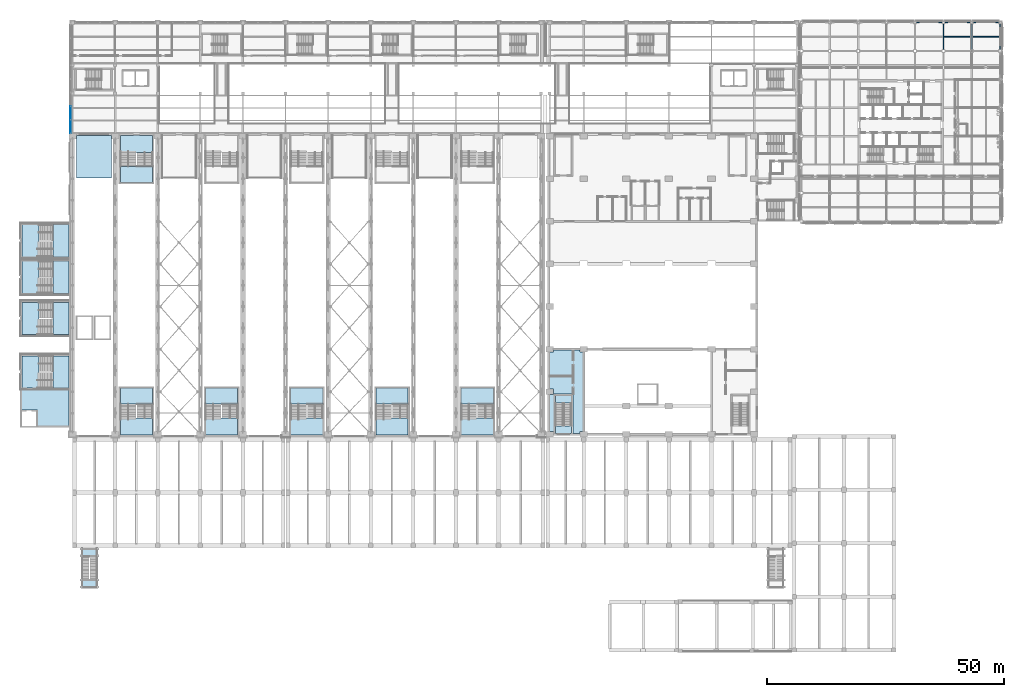
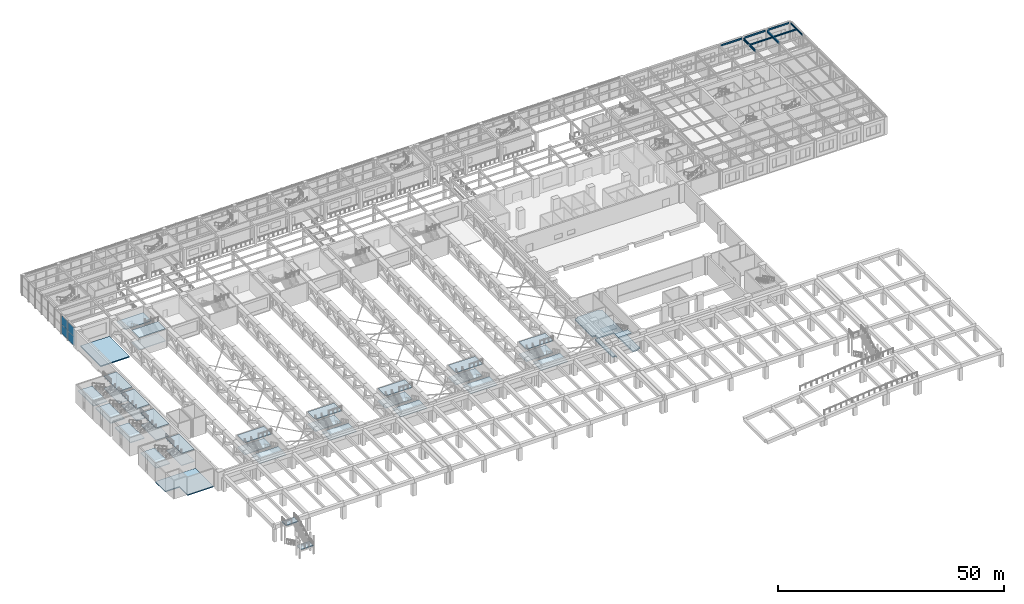
# One storey, part 27 of 76: 37 slabs, 8 beams, 4 plates, 23 elements without a shape of their own.
"""IFC4 building model written with IfcOpenShell, lengths in metres."""

from ifc_helpers import new_model, si_unit, direction, frame, origin, origin_2d, place, context, subcontext, project, spatial, polyline, rectangle, i_section, outline, extrude, material, layer, layer_set, material_profile, profile_set, type_object, element, aggregate, save


model = new_model("IFC4")

# Units and contexts
model_context = context("Model", 3, precision=1e-05, world=origin(), true_north=direction((0.0, 1.0)))
body_context = subcontext(model_context, "Body", "Model", "MODEL_VIEW")
ifc_project = project(units=[si_unit("LENGTHUNIT", "METRE"), si_unit("AREAUNIT", "SQUARE_METRE"), si_unit("VOLUMEUNIT", "CUBIC_METRE"), si_unit("PLANEANGLEUNIT", "RADIAN"), si_unit("MASSUNIT", "GRAM", prefix="KILO")], contexts=[model_context])

# Site, building, storey
site_placement = place(None, origin())
site = spatial("IfcSite", under=ifc_project, at=site_placement, CompositionType="ELEMENT")
building_placement = place(site_placement, origin())
building = spatial("IfcBuilding", under=site, at=building_placement, Name="Aravalli Gate Trade Fair Centre", CompositionType="ELEMENT")
storey_placement = place(building_placement, frame((0.0, 0.0, 10.0)))
storey = spatial("IfcBuildingStorey", under=building, at=storey_placement, Name="L02", CompositionType="ELEMENT", Elevation=10.0)

# Beams
ifc_material_1 = material(Name="Steel E350", Category="steel")
ifc_material_profile_1 = material_profile(ifc_material_1, i_section(OverallWidth=0.25, OverallDepth=0.60009765625, WebThickness=0.01123046875, FlangeThickness=0.021240234375, at=origin_2d()), Name="ISWB 600")
ifc_profile_set_1 = profile_set([ifc_material_profile_1], Name="Steel E350")
beam_type_1 = type_object("IfcBeamType", Name="Wing core to perimeter girder ISWB 600 (podium floors)", PredefinedType="BEAM", material=ifc_profile_set_1)
beam_1_placement = place(storey_placement, frame((190.0, 127.27490234375, 4.5), z_axis=(0.0, 1.0, 0.0), x_axis=(-1.0, 0.0, 0.0)))
element("IfcBeam", 1, at=beam_1_placement, inside=storey, type_object=beam_type_1, Name="Core to perimeter girder PN3b L03", PredefinedType="BEAM", context=body_context, shape_type="SweptSolid", body=[
    extrude(i_section(OverallWidth=0.25, OverallDepth=0.60009765625, WebThickness=0.01123046875, FlangeThickness=0.021240234375, at=origin_2d()), origin(), (0.0, 0.0, 1.0), 5.4501953125),
])
ifc_material_profile_2 = material_profile(ifc_material_1, i_section(OverallWidth=0.25, OverallDepth=0.60009765625, WebThickness=0.01123046875, FlangeThickness=0.021240234375, at=origin_2d()), Name="ISWB 600")
ifc_profile_set_2 = profile_set([ifc_material_profile_2], Name="Steel E350")
beam_type_2 = type_object("IfcBeamType", Name="Wing corner transfer girder ISWB 600 (podium floors)", PredefinedType="BEAM", material=ifc_profile_set_2)
beam_2_placement = place(storey_placement, frame((196.0, 127.27490234375, 4.5), z_axis=(0.0, 1.0, 0.0), x_axis=(-1.0, 0.0, 0.0)))
element("IfcBeam", 2, at=beam_2_placement, inside=storey, type_object=beam_type_2, Name="Corner transfer girder CNEyb L03", PredefinedType="BEAM", context=body_context, shape_type="SweptSolid", body=[
    extrude(i_section(OverallWidth=0.25, OverallDepth=0.60009765625, WebThickness=0.01123046875, FlangeThickness=0.021240234375, at=origin_2d()), origin(), (0.0, 0.0, 1.0), 5.4501953125),
])
ifc_material_profile_3 = material_profile(ifc_material_1, i_section(OverallWidth=0.14990234375, OverallDepth=0.449951171875, WebThickness=0.009521484375, FlangeThickness=0.017333984375, at=origin_2d()), Name="ISMB 450")
ifc_profile_set_3 = profile_set([ifc_material_profile_3], Name="Steel E350")
beam_type_3 = type_object("IfcBeamType", Name="Wing perimeter beam ISMB 450 (podium floors)", PredefinedType="BEAM", material=ifc_profile_set_3)
for number, where, z_axis, x_axis, name in (
    (3, (184.27490234375, 133.0, 4.574951171875), (1.0, 0.0, 0.0), (0.0, 1.0, 0.0), "Perimeter beam EN4 L03"),
    (4, (190.27490234375, 133.0, 4.574951171875), (1.0, 0.0, 0.0), (0.0, 1.0, 0.0), "Perimeter beam EN5 L03"),
    (5, (196.27490234375, 133.0, 4.574951171875), (1.0, 0.0, 0.0), (0.0, 1.0, 0.0), "Perimeter beam EN6 L03"),
    (6, (202.0, 127.27490234375, 4.574951171875), (0.0, 1.0, 0.0), (-1.0, 0.0, 0.0), "Perimeter beam EE6 L03"),
):
    element("IfcBeam", number, at=place(storey_placement, frame(where, z_axis=z_axis, x_axis=x_axis)), inside=storey, type_object=beam_type_3, Name=name, PredefinedType="BEAM", context=body_context, shape_type="SweptSolid", body=[
        extrude(i_section(OverallWidth=0.14990234375, OverallDepth=0.449951171875, WebThickness=0.009521484375, FlangeThickness=0.017333984375, at=origin_2d()), origin(), (0.0, 0.0, 1.0), 5.4501953125),
    ])
ifc_material_profile_4 = material_profile(ifc_material_1, i_section(OverallWidth=0.199951171875, OverallDepth=0.39990234375, WebThickness=0.008544921875, FlangeThickness=0.012939453125, at=origin_2d()), Name="ISWB 400")
ifc_profile_set_4 = profile_set([ifc_material_profile_4], Name="Steel E350")
beam_type_4 = type_object("IfcBeamType", Name="Wing secondary beam ISWB 400 (podium floors)", PredefinedType="BEAM", material=ifc_profile_set_4)
beam_3_placement = place(storey_placement, frame((190.125, 130.0, 4.60009765625), z_axis=(1.0, 0.0, 0.0), x_axis=(0.0, 1.0, 0.0)))
element("IfcBeam", 7, at=beam_3_placement, inside=storey, type_object=beam_type_4, Name="Secondary beam KEN10 L03", PredefinedType="BEAM", context=body_context, shape_type="SweptSolid", body=[
    extrude(i_section(OverallWidth=0.199951171875, OverallDepth=0.39990234375, WebThickness=0.008544921875, FlangeThickness=0.012939453125, at=origin_2d()), origin(), (0.0, 0.0, 1.0), 5.75),
])
beam_4_placement = place(storey_placement, frame((196.125, 130.0, 4.60009765625), z_axis=(1.0, 0.0, 0.0), x_axis=(0.0, 1.0, 0.0)))
element("IfcBeam", 8, at=beam_4_placement, inside=storey, type_object=beam_type_4, Name="Secondary beam KEN11 L03", PredefinedType="BEAM", context=body_context, shape_type="SweptSolid", body=[
    extrude(i_section(OverallWidth=0.199951171875, OverallDepth=0.39990234375, WebThickness=0.008544921875, FlangeThickness=0.012939453125, at=origin_2d()), origin(), (0.0, 0.0, 1.0), 5.800048828125),
])

# Stair, slabs
ifc_material_2 = material(Name="Concrete M45", Category="concrete")
stair_type_1 = type_object("IfcStairType", Name="Congress exit stair", PredefinedType="HALF_TURN_STAIR", material=ifc_material_2)
stair_1_placement = place(storey_placement, origin())
stair_1 = element("IfcStair", 9, at=stair_1_placement, inside=storey, type_object=stair_type_1, Name="Stage Stair West L02", PredefinedType="HALF_TURN_STAIR")
ifc_layer_1 = layer(ifc_material_2, 0.199951171875)
ifc_layer_set_1 = layer_set([ifc_layer_1], Name="Concrete M45")
slab_type_1 = type_object("IfcSlabType", Name="Congress exit stair landing RC 200", PredefinedType="LANDING", material=ifc_layer_set_1)
slab_1_placement = place(storey_placement, frame((0.0, 0.0, 2.300048828125)))
slab_1 = element("IfcSlab", 10, at=slab_1_placement, type_object=slab_type_1, Name="GX1 landing 1", PredefinedType="LANDING", context=body_context, shape_type="SweptSolid", body=[
    extrude(outline(polyline([(108.0, 52.60009765625), (111.39990234375, 52.60009765625), (111.39990234375, 54.199951171875), (108.0, 54.199951171875), (108.0, 52.60009765625)])), origin(), (0.0, 0.0, 1.0), 0.199951171875),
])
slab_2_placement = place(storey_placement, frame((0.0, 0.0, 4.800048828125)))
slab_2 = element("IfcSlab", 11, at=slab_2_placement, type_object=slab_type_1, Name="GX1 landing 2", PredefinedType="LANDING", context=body_context, shape_type="SweptSolid", body=[
    extrude(outline(polyline([(108.0, 46.199951171875), (111.39990234375, 46.199951171875), (111.39990234375, 47.800048828125), (108.0, 47.800048828125), (108.0, 46.199951171875)])), origin(), (0.0, 0.0, 1.0), 0.199951171875),
])
aggregate(stair_1, [slab_1, slab_2])

# Slab
ifc_material_3 = material(Name="Concrete M40", Category="concrete")
ifc_layer_2 = layer(ifc_material_3, 0.300048828125)
ifc_layer_set_2 = layer_set([ifc_layer_2], Name="Concrete M40")
slab_type_2 = type_object("IfcSlabType", Name="Congress floor slab RC 300", PredefinedType="FLOOR", material=ifc_layer_set_2)
slab_3_placement = place(storey_placement, frame((0.0, 0.0, -0.300048828125)))
element("IfcSlab", 12, at=slab_3_placement, inside=storey, type_object=slab_type_2, Name="Stage wing floor L02 W", PredefinedType="FLOOR", context=body_context, shape_type="SweptSolid", body=[
    extrude(outline(polyline([(113.199951171875, 46.60009765625), (113.199951171875, 46.199951171875), (111.699951171875, 46.199951171875), (111.699951171875, 54.5), (107.699951171875, 54.5), (107.699951171875, 46.199951171875), (107.60009765625, 46.199951171875), (107.60009765625, 46.60009765625), (106.800048828125, 46.60009765625), (106.800048828125, 54.39990234375), (107.60009765625, 54.39990234375), (107.60009765625, 55.60009765625), (106.800048828125, 55.60009765625), (106.800048828125, 63.39990234375), (107.60009765625, 63.39990234375), (107.60009765625, 63.800048828125), (113.199951171875, 63.800048828125), (113.199951171875, 63.39990234375), (113.800048828125, 63.39990234375), (113.800048828125, 46.60009765625), (113.199951171875, 46.60009765625)])), origin(), (0.0, 0.0, 1.0), 0.300048828125),
])

# Curtain wall, plates
ifc_material_4 = material(Name="Aluminium and glass", Category="aluminium")
curtain_wall_type = type_object("IfcCurtainWallType", Name="Curtain wall 3000 module, tall", PredefinedType="NOTDEFINED", material=ifc_material_4)
curtain_wall_placement = place(storey_placement, origin())
curtain_wall = element("IfcCurtainWall", 13, at=curtain_wall_placement, inside=storey, type_object=curtain_wall_type, Name="Curtain wall west end L02", PredefinedType="NOTDEFINED")
ifc_material_5 = material(Name="Glass, double glazed", Category="glass")
ifc_layer_3 = layer(ifc_material_5, 0.028076171875)
ifc_layer_set_3 = layer_set([ifc_layer_3], Name="Glass, double glazed")
plate_type = type_object("IfcPlateType", Name="Curtain wall panel, double glazed 28", PredefinedType="CURTAIN_PANEL", material=ifc_layer_set_3)
plate_1_placement = place(storey_placement, frame((5.574951171875, 111.052490234375, 0.06005859375), z_axis=(0.0, 0.0, 1.0), x_axis=(0.0, 1.0, 0.0)))
plate_1 = element("IfcPlate", 14, at=plate_1_placement, type_object=plate_type, Name="CW3 panel 1.1", PredefinedType="CURTAIN_PANEL", context=body_context, shape_type="SweptSolid", body=[
    extrude(rectangle(XDim=2.784912109375, YDim=0.028076171875, at=origin_2d()), origin(), (0.0, 0.0, 1.0), 2.409912109375),
])
plate_2_placement = place(storey_placement, frame((5.574951171875, 111.052490234375, 2.5302734375), z_axis=(0.0, 0.0, 1.0), x_axis=(0.0, 1.0, 0.0)))
plate_2 = element("IfcPlate", 15, at=plate_2_placement, type_object=plate_type, Name="CW3 panel 1.2", PredefinedType="CURTAIN_PANEL", context=body_context, shape_type="SweptSolid", body=[
    extrude(rectangle(XDim=2.784912109375, YDim=0.028076171875, at=origin_2d()), origin(), (0.0, 0.0, 1.0), 2.409912109375),
])
plate_3_placement = place(storey_placement, frame((5.574951171875, 113.91259765625, 0.06005859375), z_axis=(0.0, 0.0, 1.0), x_axis=(0.0, 1.0, 0.0)))
plate_3 = element("IfcPlate", 16, at=plate_3_placement, type_object=plate_type, Name="CW3 panel 2.1", PredefinedType="CURTAIN_PANEL", context=body_context, shape_type="SweptSolid", body=[
    extrude(rectangle(XDim=2.81494140625, YDim=0.028076171875, at=origin_2d()), origin(), (0.0, 0.0, 1.0), 2.409912109375),
])
plate_4_placement = place(storey_placement, frame((5.574951171875, 113.91259765625, 2.5302734375), z_axis=(0.0, 0.0, 1.0), x_axis=(0.0, 1.0, 0.0)))
plate_4 = element("IfcPlate", 17, at=plate_4_placement, type_object=plate_type, Name="CW3 panel 2.2", PredefinedType="CURTAIN_PANEL", context=body_context, shape_type="SweptSolid", body=[
    extrude(rectangle(XDim=2.81494140625, YDim=0.028076171875, at=origin_2d()), origin(), (0.0, 0.0, 1.0), 2.409912109375),
])
aggregate(curtain_wall, [plate_1, plate_2, plate_3, plate_4])

# Slab
ifc_layer_4 = layer(ifc_material_3, 0.25)
ifc_layer_set_4 = layer_set([ifc_layer_4], Name="Concrete M40")
slab_type_3 = type_object("IfcSlabType", Name="Firefighting lobby floor slab RC 250", PredefinedType="FLOOR", material=ifc_layer_set_4)
slab_4_placement = place(storey_placement, frame((0.0, 0.0, -0.25)))
element("IfcSlab", 18, at=slab_4_placement, inside=storey, type_object=slab_type_3, Name="Firefighting lobby floor L02", PredefinedType="FLOOR", context=body_context, shape_type="SweptSolid", body=[
    extrude(outline(polyline([(-5.0, 55.5), (5.199951171875, 55.5), (5.199951171875, 47.5), (-1.39990234375, 47.5), (-1.39990234375, 51.10009765625), (-5.0, 51.10009765625), (-5.0, 55.5)])), origin(), (0.0, 0.0, 1.0), 0.25),
])

# Stair, slabs
stair_type_2 = type_object("IfcStairType", Name="Hall exit stair, three flights", PredefinedType="HALF_TURN_STAIR", material=ifc_material_3)
stair_2_placement = place(storey_placement, origin())
stair_2 = element("IfcStair", 19, at=stair_2_placement, inside=storey, type_object=stair_type_2, Name="Exit stair ST-S02 lane A L02", PredefinedType="HALF_TURN_STAIR")
ifc_layer_5 = layer(ifc_material_3, 0.199951171875)
ifc_layer_set_5 = layer_set([ifc_layer_5], Name="Concrete M40")
slab_type_4 = type_object("IfcSlabType", Name="Hall exit stair landing RC 200", PredefinedType="LANDING", material=ifc_layer_set_5)
slab_5_placement = place(storey_placement, frame((0.0, 0.0, 1.564697265625)))
slab_5 = element("IfcSlab", 20, at=slab_5_placement, type_object=slab_type_4, Name="ST-S02A landing 1", PredefinedType="LANDING", context=body_context, shape_type="SweptSolid", body=[
    extrude(outline(polyline([(16.10009765625, 52.449951171875), (22.89990234375, 52.449951171875), (22.89990234375, 55.75), (16.10009765625, 55.75), (16.10009765625, 52.449951171875)])), origin(), (0.0, 0.0, 1.0), 0.199951171875),
])
slab_6_placement = place(storey_placement, frame((0.0, 0.0, 4.800048828125)))
slab_6 = element("IfcSlab", 21, at=slab_6_placement, type_object=slab_type_4, Name="ST-S02A landing 2", PredefinedType="LANDING", context=body_context, shape_type="SweptSolid", body=[
    extrude(outline(polyline([(16.10009765625, 52.449951171875), (22.89990234375, 52.449951171875), (22.89990234375, 55.75), (16.10009765625, 55.75), (16.10009765625, 52.449951171875)])), origin(), (0.0, 0.0, 1.0), 0.199951171875),
])
aggregate(stair_2, [slab_5, slab_6])

# Stair, slab
stair_3_placement = place(storey_placement, origin())
stair_3 = element("IfcStair", 22, at=stair_3_placement, inside=storey, type_object=stair_type_2, Name="Exit stair ST-S02 lane B L02", PredefinedType="HALF_TURN_STAIR")
slab_7_placement = place(storey_placement, frame((0.0, 0.0, 3.182373046875)))
slab_7 = element("IfcSlab", 23, at=slab_7_placement, type_object=slab_type_4, Name="ST-S02B landing 1", PredefinedType="LANDING", context=body_context, shape_type="SweptSolid", body=[
    extrude(outline(polyline([(16.10009765625, 45.85009765625), (22.89990234375, 45.85009765625), (22.89990234375, 49.449951171875), (16.10009765625, 49.449951171875), (16.10009765625, 45.85009765625)])), origin(), (0.0, 0.0, 1.0), 0.199951171875),
])
aggregate(stair_3, [slab_7])

# Stair, slabs
stair_4_placement = place(storey_placement, origin())
stair_4 = element("IfcStair", 24, at=stair_4_placement, inside=storey, type_object=stair_type_2, Name="Exit stair ST-S04 lane A L02", PredefinedType="HALF_TURN_STAIR")
slab_8_placement = place(storey_placement, frame((0.0, 0.0, 1.564697265625)))
slab_8 = element("IfcSlab", 25, at=slab_8_placement, type_object=slab_type_4, Name="ST-S04A landing 1", PredefinedType="LANDING", context=body_context, shape_type="SweptSolid", body=[
    extrude(outline(polyline([(34.10009765625, 52.449951171875), (40.89990234375, 52.449951171875), (40.89990234375, 55.75), (34.10009765625, 55.75), (34.10009765625, 52.449951171875)])), origin(), (0.0, 0.0, 1.0), 0.199951171875),
])
slab_9_placement = place(storey_placement, frame((0.0, 0.0, 4.800048828125)))
slab_9 = element("IfcSlab", 26, at=slab_9_placement, type_object=slab_type_4, Name="ST-S04A landing 2", PredefinedType="LANDING", context=body_context, shape_type="SweptSolid", body=[
    extrude(outline(polyline([(34.10009765625, 52.449951171875), (40.89990234375, 52.449951171875), (40.89990234375, 55.75), (34.10009765625, 55.75), (34.10009765625, 52.449951171875)])), origin(), (0.0, 0.0, 1.0), 0.199951171875),
])
aggregate(stair_4, [slab_8, slab_9])

# Stair, slab
stair_5_placement = place(storey_placement, origin())
stair_5 = element("IfcStair", 27, at=stair_5_placement, inside=storey, type_object=stair_type_2, Name="Exit stair ST-S04 lane B L02", PredefinedType="HALF_TURN_STAIR")
slab_10_placement = place(storey_placement, frame((0.0, 0.0, 3.182373046875)))
slab_10 = element("IfcSlab", 28, at=slab_10_placement, type_object=slab_type_4, Name="ST-S04B landing 1", PredefinedType="LANDING", context=body_context, shape_type="SweptSolid", body=[
    extrude(outline(polyline([(34.10009765625, 45.85009765625), (40.89990234375, 45.85009765625), (40.89990234375, 49.449951171875), (34.10009765625, 49.449951171875), (34.10009765625, 45.85009765625)])), origin(), (0.0, 0.0, 1.0), 0.199951171875),
])
aggregate(stair_5, [slab_10])

# Stair, slabs
stair_6_placement = place(storey_placement, origin())
stair_6 = element("IfcStair", 29, at=stair_6_placement, inside=storey, type_object=stair_type_2, Name="Exit stair ST-S06 lane A L02", PredefinedType="HALF_TURN_STAIR")
slab_11_placement = place(storey_placement, frame((0.0, 0.0, 1.564697265625)))
slab_11 = element("IfcSlab", 30, at=slab_11_placement, type_object=slab_type_4, Name="ST-S06A landing 1", PredefinedType="LANDING", context=body_context, shape_type="SweptSolid", body=[
    extrude(outline(polyline([(52.10009765625, 52.449951171875), (58.89990234375, 52.449951171875), (58.89990234375, 55.75), (52.10009765625, 55.75), (52.10009765625, 52.449951171875)])), origin(), (0.0, 0.0, 1.0), 0.199951171875),
])
slab_12_placement = place(storey_placement, frame((0.0, 0.0, 4.800048828125)))
slab_12 = element("IfcSlab", 31, at=slab_12_placement, type_object=slab_type_4, Name="ST-S06A landing 2", PredefinedType="LANDING", context=body_context, shape_type="SweptSolid", body=[
    extrude(outline(polyline([(52.10009765625, 52.449951171875), (58.89990234375, 52.449951171875), (58.89990234375, 55.75), (52.10009765625, 55.75), (52.10009765625, 52.449951171875)])), origin(), (0.0, 0.0, 1.0), 0.199951171875),
])
aggregate(stair_6, [slab_11, slab_12])

# Stair, slab
stair_7_placement = place(storey_placement, origin())
stair_7 = element("IfcStair", 32, at=stair_7_placement, inside=storey, type_object=stair_type_2, Name="Exit stair ST-S06 lane B L02", PredefinedType="HALF_TURN_STAIR")
slab_13_placement = place(storey_placement, frame((0.0, 0.0, 3.182373046875)))
slab_13 = element("IfcSlab", 33, at=slab_13_placement, type_object=slab_type_4, Name="ST-S06B landing 1", PredefinedType="LANDING", context=body_context, shape_type="SweptSolid", body=[
    extrude(outline(polyline([(52.10009765625, 45.85009765625), (58.89990234375, 45.85009765625), (58.89990234375, 49.449951171875), (52.10009765625, 49.449951171875), (52.10009765625, 45.85009765625)])), origin(), (0.0, 0.0, 1.0), 0.199951171875),
])
aggregate(stair_7, [slab_13])

# Stair, slabs
stair_8_placement = place(storey_placement, origin())
stair_8 = element("IfcStair", 34, at=stair_8_placement, inside=storey, type_object=stair_type_2, Name="Exit stair ST-S08 lane A L02", PredefinedType="HALF_TURN_STAIR")
slab_14_placement = place(storey_placement, frame((0.0, 0.0, 1.564697265625)))
slab_14 = element("IfcSlab", 35, at=slab_14_placement, type_object=slab_type_4, Name="ST-S08A landing 1", PredefinedType="LANDING", context=body_context, shape_type="SweptSolid", body=[
    extrude(outline(polyline([(70.10009765625, 52.449951171875), (76.89990234375, 52.449951171875), (76.89990234375, 55.75), (70.10009765625, 55.75), (70.10009765625, 52.449951171875)])), origin(), (0.0, 0.0, 1.0), 0.199951171875),
])
slab_15_placement = place(storey_placement, frame((0.0, 0.0, 4.800048828125)))
slab_15 = element("IfcSlab", 36, at=slab_15_placement, type_object=slab_type_4, Name="ST-S08A landing 2", PredefinedType="LANDING", context=body_context, shape_type="SweptSolid", body=[
    extrude(outline(polyline([(70.10009765625, 52.449951171875), (76.89990234375, 52.449951171875), (76.89990234375, 55.75), (70.10009765625, 55.75), (70.10009765625, 52.449951171875)])), origin(), (0.0, 0.0, 1.0), 0.199951171875),
])
aggregate(stair_8, [slab_14, slab_15])

# Stair, slab
stair_9_placement = place(storey_placement, origin())
stair_9 = element("IfcStair", 37, at=stair_9_placement, inside=storey, type_object=stair_type_2, Name="Exit stair ST-S08 lane B L02", PredefinedType="HALF_TURN_STAIR")
slab_16_placement = place(storey_placement, frame((0.0, 0.0, 3.182373046875)))
slab_16 = element("IfcSlab", 38, at=slab_16_placement, type_object=slab_type_4, Name="ST-S08B landing 1", PredefinedType="LANDING", context=body_context, shape_type="SweptSolid", body=[
    extrude(outline(polyline([(70.10009765625, 45.85009765625), (76.89990234375, 45.85009765625), (76.89990234375, 49.449951171875), (70.10009765625, 49.449951171875), (70.10009765625, 45.85009765625)])), origin(), (0.0, 0.0, 1.0), 0.199951171875),
])
aggregate(stair_9, [slab_16])

# Stair, slabs
stair_10_placement = place(storey_placement, origin())
stair_10 = element("IfcStair", 39, at=stair_10_placement, inside=storey, type_object=stair_type_2, Name="Exit stair ST-S10 lane A L02", PredefinedType="HALF_TURN_STAIR")
slab_17_placement = place(storey_placement, frame((0.0, 0.0, 1.564697265625)))
slab_17 = element("IfcSlab", 40, at=slab_17_placement, type_object=slab_type_4, Name="ST-S10A landing 1", PredefinedType="LANDING", context=body_context, shape_type="SweptSolid", body=[
    extrude(outline(polyline([(88.10009765625, 52.449951171875), (94.89990234375, 52.449951171875), (94.89990234375, 55.75), (88.10009765625, 55.75), (88.10009765625, 52.449951171875)])), origin(), (0.0, 0.0, 1.0), 0.199951171875),
])
slab_18_placement = place(storey_placement, frame((0.0, 0.0, 4.800048828125)))
slab_18 = element("IfcSlab", 41, at=slab_18_placement, type_object=slab_type_4, Name="ST-S10A landing 2", PredefinedType="LANDING", context=body_context, shape_type="SweptSolid", body=[
    extrude(outline(polyline([(88.10009765625, 52.449951171875), (94.89990234375, 52.449951171875), (94.89990234375, 55.75), (88.10009765625, 55.75), (88.10009765625, 52.449951171875)])), origin(), (0.0, 0.0, 1.0), 0.199951171875),
])
aggregate(stair_10, [slab_17, slab_18])

# Stair, slab
stair_11_placement = place(storey_placement, origin())
stair_11 = element("IfcStair", 42, at=stair_11_placement, inside=storey, type_object=stair_type_2, Name="Exit stair ST-S10 lane B L02", PredefinedType="HALF_TURN_STAIR")
slab_19_placement = place(storey_placement, frame((0.0, 0.0, 3.182373046875)))
slab_19 = element("IfcSlab", 43, at=slab_19_placement, type_object=slab_type_4, Name="ST-S10B landing 1", PredefinedType="LANDING", context=body_context, shape_type="SweptSolid", body=[
    extrude(outline(polyline([(88.10009765625, 45.85009765625), (94.89990234375, 45.85009765625), (94.89990234375, 49.449951171875), (88.10009765625, 49.449951171875), (88.10009765625, 45.85009765625)])), origin(), (0.0, 0.0, 1.0), 0.199951171875),
])
aggregate(stair_11, [slab_19])

# Stair, slabs
stair_12_placement = place(storey_placement, origin())
stair_12 = element("IfcStair", 44, at=stair_12_placement, inside=storey, type_object=stair_type_2, Name="Exit stair ST-N02 lane A L02", PredefinedType="HALF_TURN_STAIR")
slab_20_placement = place(storey_placement, frame((0.0, 0.0, 1.564697265625)))
slab_20 = element("IfcSlab", 45, at=slab_20_placement, type_object=slab_type_4, Name="ST-N02A landing 1", PredefinedType="LANDING", context=body_context, shape_type="SweptSolid", body=[
    extrude(outline(polyline([(16.10009765625, 102.550048828125), (22.89990234375, 102.550048828125), (22.89990234375, 99.25), (16.10009765625, 99.25), (16.10009765625, 102.550048828125)])), origin(), (0.0, 0.0, 1.0), 0.199951171875),
])
slab_21_placement = place(storey_placement, frame((0.0, 0.0, 4.800048828125)))
slab_21 = element("IfcSlab", 46, at=slab_21_placement, type_object=slab_type_4, Name="ST-N02A landing 2", PredefinedType="LANDING", context=body_context, shape_type="SweptSolid", body=[
    extrude(outline(polyline([(16.10009765625, 102.550048828125), (22.89990234375, 102.550048828125), (22.89990234375, 99.25), (16.10009765625, 99.25), (16.10009765625, 102.550048828125)])), origin(), (0.0, 0.0, 1.0), 0.199951171875),
])
aggregate(stair_12, [slab_20, slab_21])

# Stair, slab
stair_13_placement = place(storey_placement, origin())
stair_13 = element("IfcStair", 47, at=stair_13_placement, inside=storey, type_object=stair_type_2, Name="Exit stair ST-N02 lane B L02", PredefinedType="HALF_TURN_STAIR")
slab_22_placement = place(storey_placement, frame((0.0, 0.0, 3.182373046875)))
slab_22 = element("IfcSlab", 48, at=slab_22_placement, type_object=slab_type_4, Name="ST-N02B landing 1", PredefinedType="LANDING", context=body_context, shape_type="SweptSolid", body=[
    extrude(outline(polyline([(16.10009765625, 109.14990234375), (22.89990234375, 109.14990234375), (22.89990234375, 105.550048828125), (16.10009765625, 105.550048828125), (16.10009765625, 109.14990234375)])), origin(), (0.0, 0.0, 1.0), 0.199951171875),
])
aggregate(stair_13, [slab_22])

# Stair, slabs
stair_14_placement = place(storey_placement, origin())
stair_14 = element("IfcStair", 49, at=stair_14_placement, inside=storey, type_object=stair_type_2, Name="Exit stair ST-W1 lane A L02", PredefinedType="HALF_TURN_STAIR")
slab_23_placement = place(storey_placement, frame((0.0, 0.0, 1.564697265625)))
slab_23 = element("IfcSlab", 50, at=slab_23_placement, type_object=slab_type_4, Name="ST-W1A landing 1", PredefinedType="LANDING", context=body_context, shape_type="SweptSolid", body=[
    extrude(outline(polyline([(5.199951171875, 55.800048828125), (5.199951171875, 62.60009765625), (1.89990234375, 62.60009765625), (1.89990234375, 55.800048828125), (5.199951171875, 55.800048828125)])), origin(), (0.0, 0.0, 1.0), 0.199951171875),
])
slab_24_placement = place(storey_placement, frame((0.0, 0.0, 4.800048828125)))
slab_24 = element("IfcSlab", 51, at=slab_24_placement, type_object=slab_type_4, Name="ST-W1A landing 2", PredefinedType="LANDING", context=body_context, shape_type="SweptSolid", body=[
    extrude(outline(polyline([(5.199951171875, 55.800048828125), (5.199951171875, 62.60009765625), (1.89990234375, 62.60009765625), (1.89990234375, 55.800048828125), (5.199951171875, 55.800048828125)])), origin(), (0.0, 0.0, 1.0), 0.199951171875),
])
aggregate(stair_14, [slab_23, slab_24])

# Stair, slab
stair_15_placement = place(storey_placement, origin())
stair_15 = element("IfcStair", 52, at=stair_15_placement, inside=storey, type_object=stair_type_2, Name="Exit stair ST-W1 lane B L02", PredefinedType="HALF_TURN_STAIR")
slab_25_placement = place(storey_placement, frame((0.0, 0.0, 3.182373046875)))
slab_25 = element("IfcSlab", 53, at=slab_25_placement, type_object=slab_type_4, Name="ST-W1B landing 1", PredefinedType="LANDING", context=body_context, shape_type="SweptSolid", body=[
    extrude(outline(polyline([(-1.10009765625, 55.800048828125), (-1.10009765625, 62.60009765625), (-4.699951171875, 62.60009765625), (-4.699951171875, 55.800048828125), (-1.10009765625, 55.800048828125)])), origin(), (0.0, 0.0, 1.0), 0.199951171875),
])
aggregate(stair_15, [slab_25])

# Stair, slabs
stair_16_placement = place(storey_placement, origin())
stair_16 = element("IfcStair", 54, at=stair_16_placement, inside=storey, type_object=stair_type_2, Name="Exit stair ST-W2 lane A L02", PredefinedType="HALF_TURN_STAIR")
slab_26_placement = place(storey_placement, frame((0.0, 0.0, 1.564697265625)))
slab_26 = element("IfcSlab", 55, at=slab_26_placement, type_object=slab_type_4, Name="ST-W2A landing 1", PredefinedType="LANDING", context=body_context, shape_type="SweptSolid", body=[
    extrude(outline(polyline([(5.199951171875, 75.800048828125), (5.199951171875, 82.60009765625), (1.89990234375, 82.60009765625), (1.89990234375, 75.800048828125), (5.199951171875, 75.800048828125)])), origin(), (0.0, 0.0, 1.0), 0.199951171875),
])
slab_27_placement = place(storey_placement, frame((0.0, 0.0, 4.800048828125)))
slab_27 = element("IfcSlab", 56, at=slab_27_placement, type_object=slab_type_4, Name="ST-W2A landing 2", PredefinedType="LANDING", context=body_context, shape_type="SweptSolid", body=[
    extrude(outline(polyline([(5.199951171875, 75.800048828125), (5.199951171875, 82.60009765625), (1.89990234375, 82.60009765625), (1.89990234375, 75.800048828125), (5.199951171875, 75.800048828125)])), origin(), (0.0, 0.0, 1.0), 0.199951171875),
])
aggregate(stair_16, [slab_26, slab_27])

# Stair, slab
stair_17_placement = place(storey_placement, origin())
stair_17 = element("IfcStair", 57, at=stair_17_placement, inside=storey, type_object=stair_type_2, Name="Exit stair ST-W2 lane B L02", PredefinedType="HALF_TURN_STAIR")
slab_28_placement = place(storey_placement, frame((0.0, 0.0, 3.182373046875)))
slab_28 = element("IfcSlab", 58, at=slab_28_placement, type_object=slab_type_4, Name="ST-W2B landing 1", PredefinedType="LANDING", context=body_context, shape_type="SweptSolid", body=[
    extrude(outline(polyline([(-1.10009765625, 75.800048828125), (-1.10009765625, 82.60009765625), (-4.699951171875, 82.60009765625), (-4.699951171875, 75.800048828125), (-1.10009765625, 75.800048828125)])), origin(), (0.0, 0.0, 1.0), 0.199951171875),
])
aggregate(stair_17, [slab_28])

# Stair, slabs
stair_18_placement = place(storey_placement, origin())
stair_18 = element("IfcStair", 59, at=stair_18_placement, inside=storey, type_object=stair_type_2, Name="Exit stair ST-W4 lane A L02", PredefinedType="HALF_TURN_STAIR")
slab_29_placement = place(storey_placement, frame((0.0, 0.0, 1.564697265625)))
slab_29 = element("IfcSlab", 60, at=slab_29_placement, type_object=slab_type_4, Name="ST-W4A landing 1", PredefinedType="LANDING", context=body_context, shape_type="SweptSolid", body=[
    extrude(outline(polyline([(5.199951171875, 67.10009765625), (5.199951171875, 73.89990234375), (1.89990234375, 73.89990234375), (1.89990234375, 67.10009765625), (5.199951171875, 67.10009765625)])), origin(), (0.0, 0.0, 1.0), 0.199951171875),
])
slab_30_placement = place(storey_placement, frame((0.0, 0.0, 4.800048828125)))
slab_30 = element("IfcSlab", 61, at=slab_30_placement, type_object=slab_type_4, Name="ST-W4A landing 2", PredefinedType="LANDING", context=body_context, shape_type="SweptSolid", body=[
    extrude(outline(polyline([(5.199951171875, 67.10009765625), (5.199951171875, 73.89990234375), (1.89990234375, 73.89990234375), (1.89990234375, 67.10009765625), (5.199951171875, 67.10009765625)])), origin(), (0.0, 0.0, 1.0), 0.199951171875),
])
aggregate(stair_18, [slab_29, slab_30])

# Stair, slab
stair_19_placement = place(storey_placement, origin())
stair_19 = element("IfcStair", 62, at=stair_19_placement, inside=storey, type_object=stair_type_2, Name="Exit stair ST-W4 lane B L02", PredefinedType="HALF_TURN_STAIR")
slab_31_placement = place(storey_placement, frame((0.0, 0.0, 3.182373046875)))
slab_31 = element("IfcSlab", 63, at=slab_31_placement, type_object=slab_type_4, Name="ST-W4B landing 1", PredefinedType="LANDING", context=body_context, shape_type="SweptSolid", body=[
    extrude(outline(polyline([(-1.10009765625, 67.10009765625), (-1.10009765625, 73.89990234375), (-4.699951171875, 73.89990234375), (-4.699951171875, 67.10009765625), (-1.10009765625, 67.10009765625)])), origin(), (0.0, 0.0, 1.0), 0.199951171875),
])
aggregate(stair_19, [slab_31])

# Stair, slabs
stair_20_placement = place(storey_placement, origin())
stair_20 = element("IfcStair", 64, at=stair_20_placement, inside=storey, type_object=stair_type_2, Name="Exit stair ST-W5 lane A L02", PredefinedType="HALF_TURN_STAIR")
slab_32_placement = place(storey_placement, frame((0.0, 0.0, 1.564697265625)))
slab_32 = element("IfcSlab", 65, at=slab_32_placement, type_object=slab_type_4, Name="ST-W5A landing 1", PredefinedType="LANDING", context=body_context, shape_type="SweptSolid", body=[
    extrude(outline(polyline([(5.199951171875, 83.5), (5.199951171875, 90.300048828125), (1.89990234375, 90.300048828125), (1.89990234375, 83.5), (5.199951171875, 83.5)])), origin(), (0.0, 0.0, 1.0), 0.199951171875),
])
slab_33_placement = place(storey_placement, frame((0.0, 0.0, 4.800048828125)))
slab_33 = element("IfcSlab", 66, at=slab_33_placement, type_object=slab_type_4, Name="ST-W5A landing 2", PredefinedType="LANDING", context=body_context, shape_type="SweptSolid", body=[
    extrude(outline(polyline([(5.199951171875, 83.5), (5.199951171875, 90.300048828125), (1.89990234375, 90.300048828125), (1.89990234375, 83.5), (5.199951171875, 83.5)])), origin(), (0.0, 0.0, 1.0), 0.199951171875),
])
aggregate(stair_20, [slab_32, slab_33])

# Stair, slab
stair_21_placement = place(storey_placement, origin())
stair_21 = element("IfcStair", 67, at=stair_21_placement, inside=storey, type_object=stair_type_2, Name="Exit stair ST-W5 lane B L02", PredefinedType="HALF_TURN_STAIR")
slab_34_placement = place(storey_placement, frame((0.0, 0.0, 3.182373046875)))
slab_34 = element("IfcSlab", 68, at=slab_34_placement, type_object=slab_type_4, Name="ST-W5B landing 1", PredefinedType="LANDING", context=body_context, shape_type="SweptSolid", body=[
    extrude(outline(polyline([(-1.10009765625, 83.5), (-1.10009765625, 90.300048828125), (-4.699951171875, 90.300048828125), (-4.699951171875, 83.5), (-1.10009765625, 83.5)])), origin(), (0.0, 0.0, 1.0), 0.199951171875),
])
aggregate(stair_21, [slab_34])

# Slab
ifc_layer_6 = layer(ifc_material_3, 0.25)
ifc_layer_set_6 = layer_set([ifc_layer_6], Name="Concrete M40")
slab_type_5 = type_object("IfcSlabType", Name="Meeting room roof slab RC 250", PredefinedType="ROOF", material=ifc_layer_set_6)
slab_35_placement = place(storey_placement, frame((0.0, 0.0, -0.25)))
element("IfcSlab", 69, at=slab_35_placement, inside=storey, type_object=slab_type_5, Name="Meeting room 1 roof slab", PredefinedType="ROOF", context=body_context, shape_type="SweptSolid", body=[
    extrude(outline(polyline([(6.800048828125, 100.14990234375), (14.199951171875, 100.14990234375), (14.199951171875, 109.14990234375), (6.800048828125, 109.14990234375), (6.800048828125, 100.14990234375)])), origin(), (0.0, 0.0, 1.0), 0.25),
])

# Stair, slabs
stair_type_3 = type_object("IfcStairType", Name="External stair 1500", PredefinedType="HALF_TURN_STAIR", material=ifc_material_2)
stair_22_placement = place(storey_placement, origin())
stair_22 = element("IfcStair", 70, at=stair_22_placement, inside=storey, type_object=stair_type_3, Name="External stair 1 L02", PredefinedType="HALF_TURN_STAIR")
ifc_layer_7 = layer(ifc_material_2, 0.25)
ifc_layer_set_7 = layer_set([ifc_layer_7], Name="Concrete M45")
slab_type_6 = type_object("IfcSlabType", Name="Stair landing slab RC 250", PredefinedType="LANDING", material=ifc_layer_set_7)
slab_36_placement = place(storey_placement, frame((0.0, 0.0, 2.300048828125)))
slab_36 = element("IfcSlab", 71, at=slab_36_placement, type_object=slab_type_6, Name="SST3 landing 1", PredefinedType="LANDING", context=body_context, shape_type="SweptSolid", body=[
    extrude(outline(polyline([(8.0, 13.60009765625), (11.199951171875, 13.60009765625), (11.199951171875, 15.39990234375), (8.0, 15.39990234375), (8.0, 13.60009765625)])), origin(), (0.0, 0.0, 1.0), 0.199951171875),
])
slab_37_placement = place(storey_placement, frame((0.0, 0.0, 4.800048828125)))
slab_37 = element("IfcSlab", 72, at=slab_37_placement, type_object=slab_type_6, Name="SST3 landing 2", PredefinedType="LANDING", context=body_context, shape_type="SweptSolid", body=[
    extrude(outline(polyline([(8.0, 20.199951171875), (11.199951171875, 20.199951171875), (11.199951171875, 22.0), (8.0, 22.0), (8.0, 20.199951171875)])), origin(), (0.0, 0.0, 1.0), 0.199951171875),
])
aggregate(stair_22, [slab_36, slab_37])

save(model, "model.ifc")
